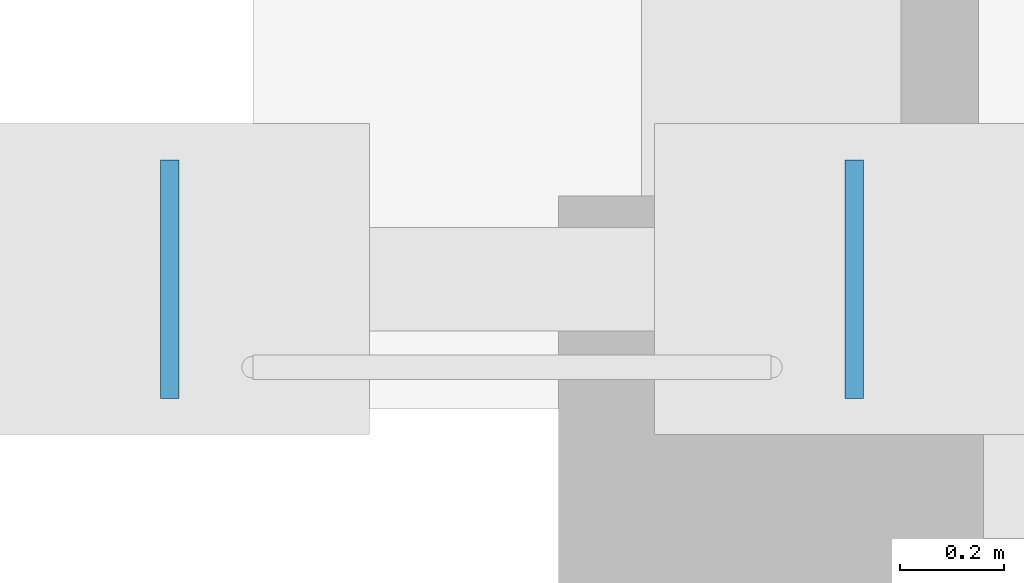
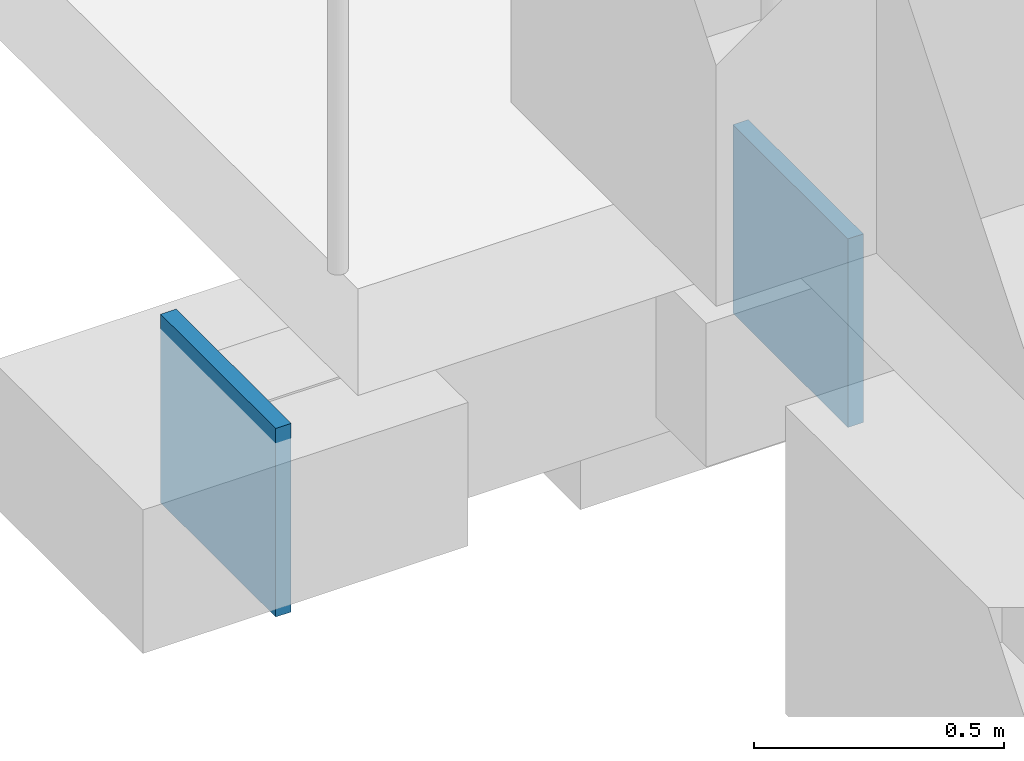
# One storey, part 75 of 90: 2 discrete accessories.
"""IFC4 building model written with IfcOpenShell, lengths in metres."""

from ifc_helpers import new_model, si_unit, direction, frame, origin, origin_2d, place, context, subcontext, project, spatial, rectangle, extrude, material, material_profile, profile_set, type_object, element, save


model = new_model("IFC4")

# Units and contexts
model_context = context("Model", 3, precision=1e-05, world=origin(), true_north=direction((0.0, 1.0)))
body_context = subcontext(model_context, "Body", "Model", "MODEL_VIEW")
ifc_project = project(units=[si_unit("LENGTHUNIT", "METRE"), si_unit("AREAUNIT", "SQUARE_METRE"), si_unit("VOLUMEUNIT", "CUBIC_METRE"), si_unit("PLANEANGLEUNIT", "RADIAN"), si_unit("MASSUNIT", "GRAM", prefix="KILO")], contexts=[model_context])

# Site, building, storey
site_placement = place(None, origin())
site = spatial("IfcSite", under=ifc_project, at=site_placement, CompositionType="ELEMENT")
building_placement = place(site_placement, origin())
building = spatial("IfcBuilding", under=site, at=building_placement, Name="Kelarvand Opera House", CompositionType="ELEMENT")
storey_placement = place(building_placement, frame((0.0, 0.0, 5.39990234375)))
storey = spatial("IfcBuildingStorey", under=building, at=storey_placement, Name="L01", CompositionType="ELEMENT", Elevation=5.39990234375)

# Discrete accessories
ifc_material = material(Name="Steel S355", Category="steel")
ifc_material_profile = material_profile(ifc_material, rectangle(XDim=0.4599609375, YDim=0.4599609375, at=origin_2d()), Name="Welded Steel Hollow End-Cap Plate 460x460x24", Category="steel")
ifc_profile_set = profile_set([ifc_material_profile], Name="Steel S355")
discrete_accessory_type = type_object("IfcDiscreteAccessoryType", Name="Welded Steel Hollow End-Cap Plate 460x460x24", PredefinedType="SHOE", material=ifc_profile_set)
for number, where, z_axis, x_axis, name in (
    (1, (50.85791015625, 70.64990234375, -0.52001953125), (-1.0, 0.0, 0.0), (0.0, -1.0, 0.0), "Hollow Section Welded End Cap 13"),
    (2, (52.14208984375, 70.64990234375, -0.52001953125), (1.0, 0.0, 0.0), (0.0, 1.0, 0.0), "Hollow Section Welded End Cap 14"),
):
    element("IfcDiscreteAccessory", number, at=place(storey_placement, frame(where, z_axis=z_axis, x_axis=x_axis)), inside=storey, type_object=discrete_accessory_type, Name=name, PredefinedType="SHOE", context=body_context, shape_type="SweptSolid", body=[
        extrude(rectangle(XDim=0.4599609375, YDim=0.4599609375, at=origin_2d()), origin(), (0.0, 0.0, 1.0), 0.035888671875),
    ])

save(model, "model.ifc")
